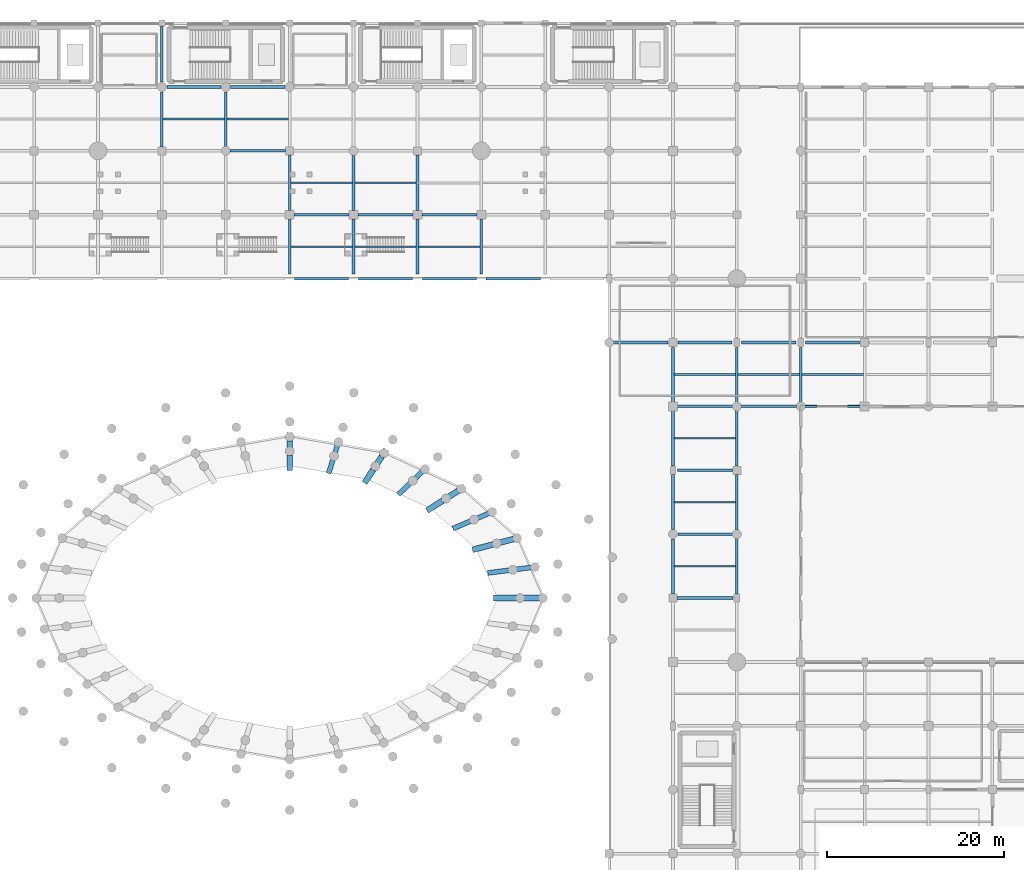
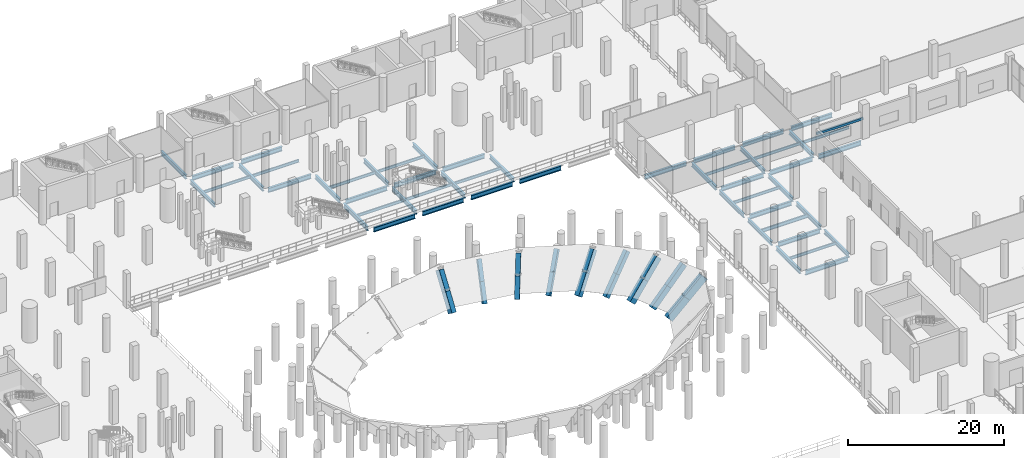
# One storey, part 12 of 58: 71 beams.
"""IFC4 building model written with IfcOpenShell, lengths in metres."""

from ifc_helpers import new_model, si_unit, direction, frame, origin, origin_2d, place, context, subcontext, project, spatial, rectangle, i_section, extrude, material, material_profile, profile_set, type_object, element, save


model = new_model("IFC4")

# Units and contexts
model_context = context("Model", 3, precision=1e-05, world=origin(), true_north=direction((0.0, 1.0)))
body_context = subcontext(model_context, "Body", "Model", "MODEL_VIEW")
ifc_project = project(units=[si_unit("LENGTHUNIT", "METRE"), si_unit("AREAUNIT", "SQUARE_METRE"), si_unit("VOLUMEUNIT", "CUBIC_METRE"), si_unit("PLANEANGLEUNIT", "RADIAN"), si_unit("MASSUNIT", "GRAM", prefix="KILO")], contexts=[model_context])

# Site, building, storey
site_placement = place(None, origin())
site = spatial("IfcSite", under=ifc_project, at=site_placement, CompositionType="ELEMENT")
building_placement = place(site_placement, origin())
building = spatial("IfcBuilding", under=site, at=building_placement, Name="Qandorah Velis Arena", CompositionType="ELEMENT")
storey_placement = place(building_placement, origin())
storey = spatial("IfcBuildingStorey", under=building, at=storey_placement, Name="L00", CompositionType="ELEMENT", Elevation=0.0)

# Beams
ifc_material_1 = material(Name="Steel S355", Category="steel")
ifc_material_profile_1 = material_profile(ifc_material_1, i_section(OverallWidth=0.300048828125, OverallDepth=0.64990234375, WebThickness=0.01611328125, FlangeThickness=0.031005859375, FilletRadius=0.027099609375, at=origin_2d()), Name="HEB 650")
ifc_profile_set_1 = profile_set([ifc_material_profile_1], Name="Steel S355")
beam_type_1 = type_object("IfcBeamType", Name="STR-BM-HEB650", PredefinedType="BEAM", material=ifc_profile_set_1)
beam_1_placement = place(storey_placement, frame((50.39990234375, 115.64990234375, -0.7451171875), z_axis=(0.0, 1.0, 0.0), x_axis=(-1.0, 0.0, 0.0)))
element("IfcBeam", 1, at=beam_1_placement, inside=storey, type_object=beam_type_1, Name="Primary floor girder L00 Y-370", PredefinedType="BEAM", context=body_context, shape_type="SweptSolid", body=[
    extrude(i_section(OverallWidth=0.300048828125, OverallDepth=0.64990234375, WebThickness=0.01611328125, FlangeThickness=0.031005859375, FilletRadius=0.027099609375, at=origin_2d()), origin(), (0.0, 0.0, 1.0), 6.2001953125),
])
beam_2_placement = place(storey_placement, frame((50.39990234375, 122.949951171875, -0.7451171875), z_axis=(0.0, 1.0, 0.0), x_axis=(-1.0, 0.0, 0.0)))
element("IfcBeam", 2, at=beam_2_placement, inside=storey, type_object=beam_type_1, Name="Primary floor girder L00 Y-371", PredefinedType="BEAM", context=body_context, shape_type="SweptSolid", body=[
    extrude(i_section(OverallWidth=0.300048828125, OverallDepth=0.64990234375, WebThickness=0.01611328125, FlangeThickness=0.031005859375, FilletRadius=0.027099609375, at=origin_2d()), origin(), (0.0, 0.0, 1.0), 6.35009765625),
])
beam_3_placement = place(storey_placement, frame((57.60009765625, 115.64990234375, -0.7451171875), z_axis=(0.0, 1.0, 0.0), x_axis=(-1.0, 0.0, 0.0)))
element("IfcBeam", 3, at=beam_3_placement, inside=storey, type_object=beam_type_1, Name="Primary floor girder L00 Y-377", PredefinedType="BEAM", context=body_context, shape_type="SweptSolid", body=[
    extrude(i_section(OverallWidth=0.300048828125, OverallDepth=0.64990234375, WebThickness=0.01611328125, FlangeThickness=0.031005859375, FilletRadius=0.027099609375, at=origin_2d()), origin(), (0.0, 0.0, 1.0), 6.2001953125),
])
beam_4_placement = place(storey_placement, frame((64.800048828125, 101.35009765625, -0.7451171875), z_axis=(0.0, 1.0, 0.0), x_axis=(-1.0, 0.0, 0.0)))
element("IfcBeam", 4, at=beam_4_placement, inside=storey, type_object=beam_type_1, Name="Primary floor girder L00 Y-382", PredefinedType="BEAM", context=body_context, shape_type="SweptSolid", body=[
    extrude(i_section(OverallWidth=0.300048828125, OverallDepth=0.64990234375, WebThickness=0.01611328125, FlangeThickness=0.031005859375, FilletRadius=0.027099609375, at=origin_2d()), origin(), (0.0, 0.0, 1.0), 6.14990234375),
])
beam_5_placement = place(storey_placement, frame((64.800048828125, 108.5, -0.7451171875), z_axis=(0.0, 1.0, 0.0), x_axis=(-1.0, 0.0, 0.0)))
element("IfcBeam", 5, at=beam_5_placement, inside=storey, type_object=beam_type_1, Name="Primary floor girder L00 Y-383", PredefinedType="BEAM", context=body_context, shape_type="SweptSolid", body=[
    extrude(i_section(OverallWidth=0.300048828125, OverallDepth=0.64990234375, WebThickness=0.01611328125, FlangeThickness=0.031005859375, FilletRadius=0.027099609375, at=origin_2d()), origin(), (0.0, 0.0, 1.0), 6.25),
])
beam_6_placement = place(storey_placement, frame((72.0, 101.35009765625, -0.7451171875), z_axis=(0.0, 1.0, 0.0), x_axis=(-1.0, 0.0, 0.0)))
element("IfcBeam", 6, at=beam_6_placement, inside=storey, type_object=beam_type_1, Name="Primary floor girder L00 Y-390", PredefinedType="BEAM", context=body_context, shape_type="SweptSolid", body=[
    extrude(i_section(OverallWidth=0.300048828125, OverallDepth=0.64990234375, WebThickness=0.01611328125, FlangeThickness=0.031005859375, FilletRadius=0.027099609375, at=origin_2d()), origin(), (0.0, 0.0, 1.0), 6.14990234375),
])
beam_7_placement = place(storey_placement, frame((72.0, 108.5, -0.7451171875), z_axis=(0.0, 1.0, 0.0), x_axis=(-1.0, 0.0, 0.0)))
element("IfcBeam", 7, at=beam_7_placement, inside=storey, type_object=beam_type_1, Name="Primary floor girder L00 Y-391", PredefinedType="BEAM", context=body_context, shape_type="SweptSolid", body=[
    extrude(i_section(OverallWidth=0.300048828125, OverallDepth=0.64990234375, WebThickness=0.01611328125, FlangeThickness=0.031005859375, FilletRadius=0.027099609375, at=origin_2d()), origin(), (0.0, 0.0, 1.0), 6.25),
])
beam_8_placement = place(storey_placement, frame((79.199951171875, 101.35009765625, -0.7451171875), z_axis=(0.0, 1.0, 0.0), x_axis=(-1.0, 0.0, 0.0)))
element("IfcBeam", 8, at=beam_8_placement, inside=storey, type_object=beam_type_1, Name="Primary floor girder L00 Y-397", PredefinedType="BEAM", context=body_context, shape_type="SweptSolid", body=[
    extrude(i_section(OverallWidth=0.300048828125, OverallDepth=0.64990234375, WebThickness=0.01611328125, FlangeThickness=0.031005859375, FilletRadius=0.027099609375, at=origin_2d()), origin(), (0.0, 0.0, 1.0), 6.14990234375),
])
beam_9_placement = place(storey_placement, frame((79.199951171875, 108.5, -0.7451171875), z_axis=(0.0, 1.0, 0.0), x_axis=(-1.0, 0.0, 0.0)))
element("IfcBeam", 9, at=beam_9_placement, inside=storey, type_object=beam_type_1, Name="Primary floor girder L00 Y-398", PredefinedType="BEAM", context=body_context, shape_type="SweptSolid", body=[
    extrude(i_section(OverallWidth=0.300048828125, OverallDepth=0.64990234375, WebThickness=0.01611328125, FlangeThickness=0.031005859375, FilletRadius=0.027099609375, at=origin_2d()), origin(), (0.0, 0.0, 1.0), 6.25),
])
beam_10_placement = place(storey_placement, frame((86.39990234375, 101.35009765625, -0.7451171875), z_axis=(0.0, 1.0, 0.0), x_axis=(-1.0, 0.0, 0.0)))
element("IfcBeam", 10, at=beam_10_placement, inside=storey, type_object=beam_type_1, Name="Primary floor girder L00 Y-404", PredefinedType="BEAM", context=body_context, shape_type="SweptSolid", body=[
    extrude(i_section(OverallWidth=0.300048828125, OverallDepth=0.64990234375, WebThickness=0.01611328125, FlangeThickness=0.031005859375, FilletRadius=0.027099609375, at=origin_2d()), origin(), (0.0, 0.0, 1.0), 6.14990234375),
])
beam_11_placement = place(storey_placement, frame((108.0, 65.25, -0.7451171875), z_axis=(0.0, 1.0, 0.0), x_axis=(-1.0, 0.0, 0.0)))
element("IfcBeam", 11, at=beam_11_placement, inside=storey, type_object=beam_type_1, Name="Primary floor girder L00 Y-434", PredefinedType="BEAM", context=body_context, shape_type="SweptSolid", body=[
    extrude(i_section(OverallWidth=0.300048828125, OverallDepth=0.64990234375, WebThickness=0.01611328125, FlangeThickness=0.031005859375, FilletRadius=0.027099609375, at=origin_2d()), origin(), (0.0, 0.0, 1.0), 6.199951171875),
])
beam_12_placement = place(storey_placement, frame((108.0, 72.550048828125, -0.7451171875), z_axis=(0.0, 1.0, 0.0), x_axis=(-1.0, 0.0, 0.0)))
element("IfcBeam", 12, at=beam_12_placement, inside=storey, type_object=beam_type_1, Name="Primary floor girder L00 Y-435", PredefinedType="BEAM", context=body_context, shape_type="SweptSolid", body=[
    extrude(i_section(OverallWidth=0.300048828125, OverallDepth=0.64990234375, WebThickness=0.01611328125, FlangeThickness=0.031005859375, FilletRadius=0.027099609375, at=origin_2d()), origin(), (0.0, 0.0, 1.0), 6.14990234375),
])
beam_13_placement = place(storey_placement, frame((108.0, 79.699951171875, -0.7451171875), z_axis=(0.0, 1.0, 0.0), x_axis=(-1.0, 0.0, 0.0)))
element("IfcBeam", 13, at=beam_13_placement, inside=storey, type_object=beam_type_1, Name="Primary floor girder L00 Y-436", PredefinedType="BEAM", context=body_context, shape_type="SweptSolid", body=[
    extrude(i_section(OverallWidth=0.300048828125, OverallDepth=0.64990234375, WebThickness=0.01611328125, FlangeThickness=0.031005859375, FilletRadius=0.027099609375, at=origin_2d()), origin(), (0.0, 0.0, 1.0), 6.25),
])
beam_14_placement = place(storey_placement, frame((108.0, 86.85009765625, -0.7451171875), z_axis=(0.0, 1.0, 0.0), x_axis=(-1.0, 0.0, 0.0)))
element("IfcBeam", 14, at=beam_14_placement, inside=storey, type_object=beam_type_1, Name="Primary floor girder L00 Y-437", PredefinedType="BEAM", context=body_context, shape_type="SweptSolid", body=[
    extrude(i_section(OverallWidth=0.300048828125, OverallDepth=0.64990234375, WebThickness=0.01611328125, FlangeThickness=0.031005859375, FilletRadius=0.027099609375, at=origin_2d()), origin(), (0.0, 0.0, 1.0), 6.199951171875),
])
beam_15_placement = place(storey_placement, frame((115.199951171875, 65.25, -0.7451171875), z_axis=(0.0, 1.0, 0.0), x_axis=(-1.0, 0.0, 0.0)))
element("IfcBeam", 15, at=beam_15_placement, inside=storey, type_object=beam_type_1, Name="Primary floor girder L00 Y-451", PredefinedType="BEAM", context=body_context, shape_type="SweptSolid", body=[
    extrude(i_section(OverallWidth=0.300048828125, OverallDepth=0.64990234375, WebThickness=0.01611328125, FlangeThickness=0.031005859375, FilletRadius=0.027099609375, at=origin_2d()), origin(), (0.0, 0.0, 1.0), 6.300048828125),
])
for number, where, z_axis, x_axis, name in (
    (16, (115.199951171875, 72.449951171875, -0.7451171875), (0.0, 1.0, 0.0), (-1.0, 0.0, 0.0), "Primary floor girder L00 Y-452"),
    (17, (115.199951171875, 79.699951171875, -0.7451171875), (0.0, 1.0, 0.0), (-1.0, 0.0, 0.0), "Primary floor girder L00 Y-453"),
):
    element("IfcBeam", number, at=place(storey_placement, frame(where, z_axis=z_axis, x_axis=x_axis)), inside=storey, type_object=beam_type_1, Name=name, PredefinedType="BEAM", context=body_context, shape_type="SweptSolid", body=[
        extrude(i_section(OverallWidth=0.300048828125, OverallDepth=0.64990234375, WebThickness=0.01611328125, FlangeThickness=0.031005859375, FilletRadius=0.027099609375, at=origin_2d()), origin(), (0.0, 0.0, 1.0), 6.25),
    ])
for number, where, z_axis, x_axis, name in (
    (18, (115.199951171875, 86.85009765625, -0.7451171875), (0.0, 1.0, 0.0), (-1.0, 0.0, 0.0), "Primary floor girder L00 Y-454"),
    (19, (122.39990234375, 86.85009765625, -0.7451171875), (0.0, 1.0, 0.0), (-1.0, 0.0, 0.0), "Primary floor girder L00 Y-466"),
):
    element("IfcBeam", number, at=place(storey_placement, frame(where, z_axis=z_axis, x_axis=x_axis)), inside=storey, type_object=beam_type_1, Name=name, PredefinedType="BEAM", context=body_context, shape_type="SweptSolid", body=[
        extrude(i_section(OverallWidth=0.300048828125, OverallDepth=0.64990234375, WebThickness=0.01611328125, FlangeThickness=0.031005859375, FilletRadius=0.027099609375, at=origin_2d()), origin(), (0.0, 0.0, 1.0), 6.199951171875),
    ])
ifc_material_profile_2 = material_profile(ifc_material_1, i_section(OverallWidth=0.300048828125, OverallDepth=0.699951171875, WebThickness=0.01708984375, FlangeThickness=0.031982421875, FilletRadius=0.027099609375, at=origin_2d()), Name="HEB 700")
ifc_profile_set_2 = profile_set([ifc_material_profile_2], Name="Steel S355")
beam_type_2 = type_object("IfcBeamType", Name="STR-BM-HEB700", PredefinedType="BEAM", material=ifc_profile_set_2)
beam_16_placement = place(storey_placement, frame((108.449951171875, 64.800048828125, -0.77001953125), z_axis=(1.0, 0.0, 0.0), x_axis=(0.0, 1.0, 0.0)))
element("IfcBeam", 20, at=beam_16_placement, inside=storey, type_object=beam_type_2, Name="Primary floor girder L00 X-134", PredefinedType="BEAM", context=body_context, shape_type="SweptSolid", body=[
    extrude(i_section(OverallWidth=0.300048828125, OverallDepth=0.699951171875, WebThickness=0.01708984375, FlangeThickness=0.031982421875, FilletRadius=0.027099609375, at=origin_2d()), origin(), (0.0, 0.0, 1.0), 6.300048828125),
])
for number, where, z_axis, x_axis, name in (
    (21, (108.550048828125, 72.0, -0.77001953125), (1.0, 0.0, 0.0), (0.0, 1.0, 0.0), "Primary floor girder L00 X-141"),
    (22, (108.5, 79.199951171875, -0.77001953125), (1.0, 0.0, 0.0), (0.0, 1.0, 0.0), "Primary floor girder L00 X-148"),
):
    element("IfcBeam", number, at=place(storey_placement, frame(where, z_axis=z_axis, x_axis=x_axis)), inside=storey, type_object=beam_type_2, Name=name, PredefinedType="BEAM", context=body_context, shape_type="SweptSolid", body=[
        extrude(i_section(OverallWidth=0.300048828125, OverallDepth=0.699951171875, WebThickness=0.01708984375, FlangeThickness=0.031982421875, FilletRadius=0.027099609375, at=origin_2d()), origin(), (0.0, 0.0, 1.0), 6.199951171875),
    ])
for number, where, z_axis, x_axis, name in (
    (23, (108.449951171875, 86.39990234375, -0.77001953125), (1.0, 0.0, 0.0), (0.0, 1.0, 0.0), "Primary floor girder L00 X-154"),
    (24, (115.64990234375, 86.39990234375, -0.77001953125), (1.0, 0.0, 0.0), (0.0, 1.0, 0.0), "Primary floor girder L00 X-155"),
):
    element("IfcBeam", number, at=place(storey_placement, frame(where, z_axis=z_axis, x_axis=x_axis)), inside=storey, type_object=beam_type_2, Name=name, PredefinedType="BEAM", context=body_context, shape_type="SweptSolid", body=[
        extrude(i_section(OverallWidth=0.300048828125, OverallDepth=0.699951171875, WebThickness=0.01708984375, FlangeThickness=0.031982421875, FilletRadius=0.027099609375, at=origin_2d()), origin(), (0.0, 0.0, 1.0), 6.300048828125),
    ])
beam_17_placement = place(storey_placement, frame((122.85009765625, 86.39990234375, -0.77001953125), z_axis=(1.0, 0.0, 0.0), x_axis=(0.0, 1.0, 0.0)))
element("IfcBeam", 25, at=beam_17_placement, inside=storey, type_object=beam_type_2, Name="Primary floor girder L00 X-156", PredefinedType="BEAM", context=body_context, shape_type="SweptSolid", body=[
    extrude(i_section(OverallWidth=0.300048828125, OverallDepth=0.699951171875, WebThickness=0.01708984375, FlangeThickness=0.031982421875, FilletRadius=0.027099609375, at=origin_2d()), origin(), (0.0, 0.0, 1.0), 6.2998046875),
])
beam_18_placement = place(storey_placement, frame((101.25, 93.60009765625, -0.77001953125), z_axis=(1.0, 0.0, 0.0), x_axis=(0.0, 1.0, 0.0)))
element("IfcBeam", 26, at=beam_18_placement, inside=storey, type_object=beam_type_2, Name="Primary floor girder L00 X-167", PredefinedType="BEAM", context=body_context, shape_type="SweptSolid", body=[
    extrude(i_section(OverallWidth=0.300048828125, OverallDepth=0.699951171875, WebThickness=0.01708984375, FlangeThickness=0.031982421875, FilletRadius=0.027099609375, at=origin_2d()), origin(), (0.0, 0.0, 1.0), 6.199951171875),
])
beam_19_placement = place(storey_placement, frame((108.550048828125, 93.60009765625, -0.77001953125), z_axis=(1.0, 0.0, 0.0), x_axis=(0.0, 1.0, 0.0)))
element("IfcBeam", 27, at=beam_19_placement, inside=storey, type_object=beam_type_2, Name="Primary floor girder L00 X-168", PredefinedType="BEAM", context=body_context, shape_type="SweptSolid", body=[
    extrude(i_section(OverallWidth=0.300048828125, OverallDepth=0.699951171875, WebThickness=0.01708984375, FlangeThickness=0.031982421875, FilletRadius=0.027099609375, at=origin_2d()), origin(), (0.0, 0.0, 1.0), 6.099853515625),
])
for number, where, z_axis, x_axis, name in (
    (28, (115.75, 93.60009765625, -0.77001953125), (1.0, 0.0, 0.0), (0.0, 1.0, 0.0), "Primary floor girder L00 X-169"),
    (29, (122.949951171875, 93.60009765625, -0.77001953125), (1.0, 0.0, 0.0), (0.0, 1.0, 0.0), "Primary floor girder L00 X-170"),
):
    element("IfcBeam", number, at=place(storey_placement, frame(where, z_axis=z_axis, x_axis=x_axis)), inside=storey, type_object=beam_type_2, Name=name, PredefinedType="BEAM", context=body_context, shape_type="SweptSolid", body=[
        extrude(i_section(OverallWidth=0.300048828125, OverallDepth=0.699951171875, WebThickness=0.01708984375, FlangeThickness=0.031982421875, FilletRadius=0.027099609375, at=origin_2d()), origin(), (0.0, 0.0, 1.0), 6.10009765625),
    ])
for number, where, z_axis, x_axis, name in (
    (30, (65.35009765625, 100.800048828125, -0.77001953125), (1.0, 0.0, 0.0), (0.0, 1.0, 0.0), "Primary floor girder L00 X-182"),
    (31, (72.550048828125, 100.800048828125, -0.77001953125), (1.0, 0.0, 0.0), (0.0, 1.0, 0.0), "Primary floor girder L00 X-183"),
):
    element("IfcBeam", number, at=place(storey_placement, frame(where, z_axis=z_axis, x_axis=x_axis)), inside=storey, type_object=beam_type_2, Name=name, PredefinedType="BEAM", context=body_context, shape_type="SweptSolid", body=[
        extrude(i_section(OverallWidth=0.300048828125, OverallDepth=0.699951171875, WebThickness=0.01708984375, FlangeThickness=0.031982421875, FilletRadius=0.027099609375, at=origin_2d()), origin(), (0.0, 0.0, 1.0), 6.099853515625),
    ])
for number, where, z_axis, x_axis, name in (
    (32, (79.75, 100.800048828125, -0.77001953125), (1.0, 0.0, 0.0), (0.0, 1.0, 0.0), "Primary floor girder L00 X-184"),
    (33, (86.949951171875, 100.800048828125, -0.77001953125), (1.0, 0.0, 0.0), (0.0, 1.0, 0.0), "Primary floor girder L00 X-185"),
):
    element("IfcBeam", number, at=place(storey_placement, frame(where, z_axis=z_axis, x_axis=x_axis)), inside=storey, type_object=beam_type_2, Name=name, PredefinedType="BEAM", context=body_context, shape_type="SweptSolid", body=[
        extrude(i_section(OverallWidth=0.300048828125, OverallDepth=0.699951171875, WebThickness=0.01708984375, FlangeThickness=0.031982421875, FilletRadius=0.027099609375, at=origin_2d()), origin(), (0.0, 0.0, 1.0), 6.10009765625),
    ])
for number, where, z_axis, x_axis, name in (
    (34, (65.300048828125, 108.0, -0.77001953125), (1.0, 0.0, 0.0), (0.0, 1.0, 0.0), "Primary floor girder L00 X-204"),
    (35, (72.5, 108.0, -0.77001953125), (1.0, 0.0, 0.0), (0.0, 1.0, 0.0), "Primary floor girder L00 X-205"),
    (36, (79.699951171875, 108.0, -0.77001953125), (1.0, 0.0, 0.0), (0.0, 1.0, 0.0), "Primary floor girder L00 X-206"),
):
    element("IfcBeam", number, at=place(storey_placement, frame(where, z_axis=z_axis, x_axis=x_axis)), inside=storey, type_object=beam_type_2, Name=name, PredefinedType="BEAM", context=body_context, shape_type="SweptSolid", body=[
        extrude(i_section(OverallWidth=0.300048828125, OverallDepth=0.699951171875, WebThickness=0.01708984375, FlangeThickness=0.031982421875, FilletRadius=0.027099609375, at=origin_2d()), origin(), (0.0, 0.0, 1.0), 6.199951171875),
    ])
beam_20_placement = place(storey_placement, frame((58.050048828125, 115.199951171875, -0.77001953125), z_axis=(1.0, 0.0, 0.0), x_axis=(0.0, 1.0, 0.0)))
element("IfcBeam", 37, at=beam_20_placement, inside=storey, type_object=beam_type_2, Name="Primary floor girder L00 X-222", PredefinedType="BEAM", context=body_context, shape_type="SweptSolid", body=[
    extrude(i_section(OverallWidth=0.300048828125, OverallDepth=0.699951171875, WebThickness=0.01708984375, FlangeThickness=0.031982421875, FilletRadius=0.027099609375, at=origin_2d()), origin(), (0.0, 0.0, 1.0), 6.300048828125),
])
for number, where, z_axis, x_axis, name in (
    (38, (50.949951171875, 122.39990234375, -0.77001953125), (1.0, 0.0, 0.0), (0.0, 1.0, 0.0), "Primary floor girder L00 X-243"),
    (39, (58.14990234375, 122.39990234375, -0.77001953125), (1.0, 0.0, 0.0), (0.0, 1.0, 0.0), "Primary floor girder L00 X-244"),
):
    element("IfcBeam", number, at=place(storey_placement, frame(where, z_axis=z_axis, x_axis=x_axis)), inside=storey, type_object=beam_type_2, Name=name, PredefinedType="BEAM", context=body_context, shape_type="SweptSolid", body=[
        extrude(i_section(OverallWidth=0.300048828125, OverallDepth=0.699951171875, WebThickness=0.01708984375, FlangeThickness=0.031982421875, FilletRadius=0.027099609375, at=origin_2d()), origin(), (0.0, 0.0, 1.0), 6.10009765625),
    ])
ifc_material_profile_3 = material_profile(ifc_material_1, i_section(OverallWidth=0.18994140625, OverallDepth=0.449951171875, WebThickness=0.009521484375, FlangeThickness=0.0146484375, FilletRadius=0.02099609375, at=origin_2d()), Name="IPE 450")
ifc_profile_set_3 = profile_set([ifc_material_profile_3], Name="Steel S355")
beam_type_3 = type_object("IfcBeamType", Name="STR-JST-IPE450", PredefinedType="JOIST", material=ifc_profile_set_3)
beam_21_placement = place(storey_placement, frame((50.534912109375, 118.800048828125, -0.64501953125), z_axis=(1.0, 0.0, 0.0), x_axis=(0.0, 1.0, 0.0)))
element("IfcBeam", 40, at=beam_21_placement, inside=storey, type_object=beam_type_3, Name="Secondary floor joist L00-086", PredefinedType="JOIST", context=body_context, shape_type="SweptSolid", body=[
    extrude(i_section(OverallWidth=0.18994140625, OverallDepth=0.449951171875, WebThickness=0.009521484375, FlangeThickness=0.0146484375, FilletRadius=0.02099609375, at=origin_2d()), origin(), (0.0, 0.0, 1.0), 6.93017578125),
])
for number, where, z_axis, x_axis, name in (
    (41, (57.735107421875, 118.800048828125, -0.64501953125), (1.0, 0.0, 0.0), (0.0, 1.0, 0.0), "Secondary floor joist L00-092"),
    (42, (64.93505859375, 104.39990234375, -0.64501953125), (1.0, 0.0, 0.0), (0.0, 1.0, 0.0), "Secondary floor joist L00-097"),
    (43, (64.93505859375, 111.60009765625, -0.64501953125), (1.0, 0.0, 0.0), (0.0, 1.0, 0.0), "Secondary floor joist L00-098"),
    (44, (72.135009765625, 104.39990234375, -0.64501953125), (1.0, 0.0, 0.0), (0.0, 1.0, 0.0), "Secondary floor joist L00-104"),
    (45, (72.135009765625, 111.60009765625, -0.64501953125), (1.0, 0.0, 0.0), (0.0, 1.0, 0.0), "Secondary floor joist L00-105"),
    (46, (79.3349609375, 104.39990234375, -0.64501953125), (1.0, 0.0, 0.0), (0.0, 1.0, 0.0), "Secondary floor joist L00-110"),
    (47, (108.135009765625, 68.39990234375, -0.64501953125), (1.0, 0.0, 0.0), (0.0, 1.0, 0.0), "Secondary floor joist L00-144"),
    (48, (108.135009765625, 82.800048828125, -0.64501953125), (1.0, 0.0, 0.0), (0.0, 1.0, 0.0), "Secondary floor joist L00-146"),
    (49, (108.135009765625, 90.0, -0.64501953125), (1.0, 0.0, 0.0), (0.0, 1.0, 0.0), "Secondary floor joist L00-147"),
    (50, (115.3349609375, 90.0, -0.64501953125), (1.0, 0.0, 0.0), (0.0, 1.0, 0.0), "Secondary floor joist L00-155"),
):
    element("IfcBeam", number, at=place(storey_placement, frame(where, z_axis=z_axis, x_axis=x_axis)), inside=storey, type_object=beam_type_3, Name=name, PredefinedType="JOIST", context=body_context, shape_type="SweptSolid", body=[
        extrude(i_section(OverallWidth=0.18994140625, OverallDepth=0.449951171875, WebThickness=0.009521484375, FlangeThickness=0.0146484375, FilletRadius=0.02099609375, at=origin_2d()), origin(), (0.0, 0.0, 1.0), 6.929931640625),
    ])
beam_22_placement = place(storey_placement, frame((122.534912109375, 90.0, -0.64501953125), z_axis=(1.0, 0.0, 0.0), x_axis=(0.0, 1.0, 0.0)))
element("IfcBeam", 51, at=beam_22_placement, inside=storey, type_object=beam_type_3, Name="Secondary floor joist L00-163", PredefinedType="JOIST", context=body_context, shape_type="SweptSolid", body=[
    extrude(i_section(OverallWidth=0.18994140625, OverallDepth=0.449951171875, WebThickness=0.009521484375, FlangeThickness=0.0146484375, FilletRadius=0.02099609375, at=origin_2d()), origin(), (0.0, 0.0, 1.0), 6.93017578125),
])
ifc_material_profile_4 = material_profile(ifc_material_1, i_section(OverallWidth=0.2099609375, OverallDepth=0.550048828125, WebThickness=0.010986328125, FlangeThickness=0.01708984375, FilletRadius=0.02392578125, at=origin_2d()), Name="IPE 550")
ifc_profile_set_4 = profile_set([ifc_material_profile_4], Name="Steel S355")
beam_type_4 = type_object("IfcBeamType", Name="STR-JST-IPE550", PredefinedType="JOIST", material=ifc_profile_set_4)
beam_23_placement = place(storey_placement, frame((108.135009765625, 75.60009765625, -0.695068359375), z_axis=(1.0, 0.0, 0.0), x_axis=(0.0, 1.0, 0.0)))
element("IfcBeam", 52, at=beam_23_placement, inside=storey, type_object=beam_type_4, Name="Secondary floor joist L00-145", PredefinedType="JOIST", context=body_context, shape_type="SweptSolid", body=[
    extrude(i_section(OverallWidth=0.2099609375, OverallDepth=0.550048828125, WebThickness=0.010986328125, FlangeThickness=0.01708984375, FilletRadius=0.02392578125, at=origin_2d()), origin(), (0.0, 0.0, 1.0), 6.929931640625),
])
ifc_material_2 = material(Name="Concrete C40/50", Category="concrete")
ifc_material_profile_5 = material_profile(ifc_material_2, rectangle(XDim=0.25, YDim=0.35009765625, at=origin_2d()), Name="RC LINTEL 250x350")
ifc_profile_set_5 = profile_set([ifc_material_profile_5], Name="Concrete C40/50")
beam_type_5 = type_object("IfcBeamType", Name="STR-LIN-250X350", PredefinedType="LINTEL", material=ifc_profile_set_5)
beam_24_placement = place(storey_placement, frame((122.550048828125, 86.39990234375, 2.949951171875), z_axis=(1.0, 0.0, 0.0), x_axis=(0.0, 1.0, 0.0)))
element("IfcBeam", 53, at=beam_24_placement, inside=storey, type_object=beam_type_5, Name="Facade opening lintel LN-07", PredefinedType="LINTEL", context=body_context, shape_type="SweptSolid", body=[
    extrude(rectangle(XDim=0.25, YDim=0.35009765625, at=origin_2d()), origin(), (0.0, 0.0, 1.0), 6.89990234375),
])
ifc_material_profile_6 = material_profile(ifc_material_2, rectangle(XDim=0.550048828125, YDim=0.949951171875, at=origin_2d()), Name="RC RAKER 550x950")
ifc_profile_set_6 = profile_set([ifc_material_profile_6], Name="Concrete C40/50")
beam_type_6 = type_object("IfcBeamType", Name="STR-RAK-550X950", PredefinedType="USERDEFINED", material=ifc_profile_set_6)
for number, where, z_axis, x_axis, name in (
    (54, (87.455078125, 67.66943359375, -0.715087890625), (0.717269074384, 0.090862046946, 0.69084670033), (-0.125673426448, 0.9920716657, 0.0), "Lower bowl inner raker beam RB-LA01.2"),
    (55, (89.947021484375, 67.985107421875, 1.68505859375), (0.71733801119, 0.090861877789, 0.690775142045), (-0.125661309593, 0.992073200561, 0.0), "Lower bowl outer raker beam RB-LB01.2"),
):
    element("IfcBeam", number, at=place(storey_placement, frame(where, z_axis=z_axis, x_axis=x_axis)), inside=storey, type_object=beam_type_6, Name=name, ObjectType="RAKER BEAM", PredefinedType="USERDEFINED", context=body_context, shape_type="SweptSolid", body=[
        extrude(rectangle(XDim=0.550048828125, YDim=0.949951171875, at=origin_2d()), origin(), (0.0, 0.0, 1.0), 3.47412109375),
    ])
beam_25_placement = place(storey_placement, frame((83.51708984375, 72.763427734375, -0.715087890625), z_axis=(0.627493181643, 0.266948723706, 0.731430574903), x_axis=(-0.3914686813, 0.920191432019, 0.0)))
element("IfcBeam", 56, at=beam_25_placement, inside=storey, type_object=beam_type_6, Name="Lower bowl inner raker beam RB-LA02.2", ObjectType="RAKER BEAM", PredefinedType="USERDEFINED", context=body_context, shape_type="SweptSolid", body=[
    extrude(rectangle(XDim=0.550048828125, YDim=0.949951171875, at=origin_2d()), origin(), (0.0, 0.0, 1.0), 3.281494140625),
])
beam_26_placement = place(storey_placement, frame((85.576171875, 73.639404296875, 1.68505859375), z_axis=(0.627482222231, 0.26697571604, 0.731430125049), x_axis=(-0.391507987355, 0.92017470941, 0.0)))
element("IfcBeam", 57, at=beam_26_placement, inside=storey, type_object=beam_type_6, Name="Lower bowl outer raker beam RB-LB02.2", ObjectType="RAKER BEAM", PredefinedType="USERDEFINED", context=body_context, shape_type="SweptSolid", body=[
    extrude(rectangle(XDim=0.550048828125, YDim=0.949951171875, at=origin_2d()), origin(), (0.0, 0.0, 1.0), 3.281005859375),
])
for number, where, z_axis, x_axis, name in (
    (58, (77.306396484375, 76.71826171875, -0.715087890625), (0.449380494122, 0.428247249944, 0.784003484953), (-0.689879693058, 0.723924035453, 0.0), "Lower bowl inner raker beam RB-LA03.2"),
    (59, (78.68212890625, 78.029296875, 1.68505859375), (0.449408591846, 0.428274026302, 0.783972752058), (-0.689879693058, 0.723924035453, 0.0), "Lower bowl outer raker beam RB-LB03.2"),
):
    element("IfcBeam", number, at=place(storey_placement, frame(where, z_axis=z_axis, x_axis=x_axis)), inside=storey, type_object=beam_type_6, Name=name, ObjectType="RAKER BEAM", PredefinedType="USERDEFINED", context=body_context, shape_type="SweptSolid", body=[
        extrude(rectangle(XDim=0.550048828125, YDim=0.949951171875, at=origin_2d()), origin(), (0.0, 0.0, 1.0), 3.061279296875),
    ])
beam_27_placement = place(storey_placement, frame((69.306396484375, 79.2255859375, -0.715087890625), z_axis=(0.169745578009, 0.543520323675, 0.822053584931), x_axis=(-0.954532223567, 0.298107755975, 0.0)))
element("IfcBeam", 60, at=beam_27_placement, inside=storey, type_object=beam_type_6, Name="Lower bowl inner raker beam RB-LA04.2", ObjectType="RAKER BEAM", PredefinedType="USERDEFINED", context=body_context, shape_type="SweptSolid", body=[
    extrude(rectangle(XDim=0.550048828125, YDim=0.949951171875, at=origin_2d()), origin(), (0.0, 0.0, 1.0), 2.919677734375),
])
beam_28_placement = place(storey_placement, frame((69.802001953125, 80.8125, 1.68505859375), z_axis=(0.169846179083, 0.54349104769, 0.822052161685), x_axis=(-0.954477364737, 0.29828335556, 0.0)))
element("IfcBeam", 61, at=beam_28_placement, inside=storey, type_object=beam_type_6, Name="Lower bowl outer raker beam RB-LB04.2", ObjectType="RAKER BEAM", PredefinedType="USERDEFINED", context=body_context, shape_type="SweptSolid", body=[
    extrude(rectangle(XDim=0.550048828125, YDim=0.949951171875, at=origin_2d()), origin(), (0.0, 0.0, 1.0), 2.91943359375),
])
ifc_material_profile_7 = material_profile(ifc_material_2, rectangle(XDim=0.64990234375, YDim=1.199951171875, at=origin_2d()), Name="RC RAKER 650x1200")
ifc_profile_set_7 = profile_set([ifc_material_profile_7], Name="Concrete C40/50")
beam_type_7 = type_object("IfcBeamType", Name="STR-RAK-650X1200", PredefinedType="USERDEFINED", material=ifc_profile_set_7)
for number, where, z_axis, x_axis, name in (
    (62, (88.199951171875, 64.800048828125, -0.840087890625), (0.731371228454, 0.0, 0.681979564349), (0.0, 1.0, 0.0), "Lower bowl inner raker beam RB-LA01.1"),
    (63, (90.77392578125, 64.800048828125, 1.56005859375), (0.731405829691, 0.0, 0.681942455266), (0.0, 1.0, 0.0), "Lower bowl outer raker beam RB-LB01.1"),
):
    element("IfcBeam", number, at=place(storey_placement, frame(where, z_axis=z_axis, x_axis=x_axis)), inside=storey, type_object=beam_type_7, Name=name, ObjectType="RAKER BEAM", PredefinedType="USERDEFINED", context=body_context, shape_type="SweptSolid", body=[
        extrude(rectangle(XDim=0.64990234375, YDim=1.199951171875, at=origin_2d()), origin(), (0.0, 0.0, 1.0), 3.519287109375),
    ])
beam_29_placement = place(storey_placement, frame((85.81640625, 70.343017578125, -0.840087890625), z_axis=(0.682427103497, 0.180010866371, 0.708441484105), x_axis=(-0.255056151553, 0.966926243079, 0.0)))
element("IfcBeam", 64, at=beam_29_placement, inside=storey, type_object=beam_type_7, Name="Lower bowl inner raker beam RB-LA02.1", ObjectType="RAKER BEAM", PredefinedType="USERDEFINED", context=body_context, shape_type="SweptSolid", body=[
    extrude(rectangle(XDim=0.64990234375, YDim=1.199951171875, at=origin_2d()), origin(), (0.0, 0.0, 1.0), 3.387939453125),
])
beam_30_placement = place(storey_placement, frame((88.12841796875, 70.952880859375, 1.56005859375), z_axis=(0.682432292377, 0.179959175633, 0.708449618129), x_axis=(-0.254985861186, 0.966944781565, 0.0)))
element("IfcBeam", 65, at=beam_30_placement, inside=storey, type_object=beam_type_7, Name="Lower bowl outer raker beam RB-LB02.1", ObjectType="RAKER BEAM", PredefinedType="USERDEFINED", context=body_context, shape_type="SweptSolid", body=[
    extrude(rectangle(XDim=0.64990234375, YDim=1.199951171875, at=origin_2d()), origin(), (0.0, 0.0, 1.0), 3.387451171875),
])
beam_31_placement = place(storey_placement, frame((80.65966796875, 74.898681640625, -0.840087890625), z_axis=(0.550643924236, 0.350605913137, 0.757539941109), x_axis=(-0.537089338572, 0.843525365589, 0.0)))
element("IfcBeam", 66, at=beam_31_placement, inside=storey, type_object=beam_type_7, Name="Lower bowl inner raker beam RB-LA03.1", ObjectType="RAKER BEAM", PredefinedType="USERDEFINED", context=body_context, shape_type="SweptSolid", body=[
    extrude(rectangle(XDim=0.64990234375, YDim=1.199951171875, at=origin_2d()), origin(), (0.0, 0.0, 1.0), 3.16845703125),
])
beam_32_placement = place(storey_placement, frame((82.404296875, 76.009521484375, 1.56005859375), z_axis=(0.550622372312, 0.350641258785, 0.757539247001), x_axis=(-0.537142821391, 0.843491309634, 0.0)))
element("IfcBeam", 67, at=beam_32_placement, inside=storey, type_object=beam_type_7, Name="Lower bowl outer raker beam RB-LB03.1", ObjectType="RAKER BEAM", PredefinedType="USERDEFINED", context=body_context, shape_type="SweptSolid", body=[
    extrude(rectangle(XDim=0.64990234375, YDim=1.199951171875, at=origin_2d()), origin(), (0.0, 0.0, 1.0), 3.16796875),
])
for number, where, z_axis, x_axis, name in (
    (68, (73.50537109375, 78.182373046875, -0.840087890625), (0.321973892614, 0.494946608508, 0.807069183653), (-0.838243436999, 0.545296195042, 0.0), "Lower bowl inner raker beam RB-LA04.1"),
    (69, (74.462890625, 79.654296875, 1.56005859375), (0.321982140855, 0.495041384333, 0.80700776252), (-0.838284771614, 0.545232649133, 0.0), "Lower bowl outer raker beam RB-LB04.1"),
):
    element("IfcBeam", number, at=place(storey_placement, frame(where, z_axis=z_axis, x_axis=x_axis)), inside=storey, type_object=beam_type_7, Name=name, ObjectType="RAKER BEAM", PredefinedType="USERDEFINED", context=body_context, shape_type="SweptSolid", body=[
        extrude(rectangle(XDim=0.64990234375, YDim=1.199951171875, at=origin_2d()), origin(), (0.0, 0.0, 1.0), 2.973876953125),
    ])
beam_33_placement = place(storey_placement, frame((64.800048828125, 79.699951171875, -0.840087890625), z_axis=(0.0, 0.563970029001, 0.825795256942), x_axis=(-1.0, 0.0, 0.0)))
element("IfcBeam", 70, at=beam_33_placement, inside=storey, type_object=beam_type_7, Name="Lower bowl inner raker beam RB-LA05.1", ObjectType="RAKER BEAM", PredefinedType="USERDEFINED", context=body_context, shape_type="SweptSolid", body=[
    extrude(rectangle(XDim=0.64990234375, YDim=1.199951171875, at=origin_2d()), origin(), (0.0, 0.0, 1.0), 2.906494140625),
])
beam_34_placement = place(storey_placement, frame((64.800048828125, 81.339111328125, 1.56005859375), z_axis=(0.0, 0.563951864958, 0.825807661632), x_axis=(-1.0, 0.0, 0.0)))
element("IfcBeam", 71, at=beam_34_placement, inside=storey, type_object=beam_type_7, Name="Lower bowl outer raker beam RB-LB05.1", ObjectType="RAKER BEAM", PredefinedType="USERDEFINED", context=body_context, shape_type="SweptSolid", body=[
    extrude(rectangle(XDim=0.64990234375, YDim=1.199951171875, at=origin_2d()), origin(), (0.0, 0.0, 1.0), 2.906005859375),
])

save(model, "model.ifc")
